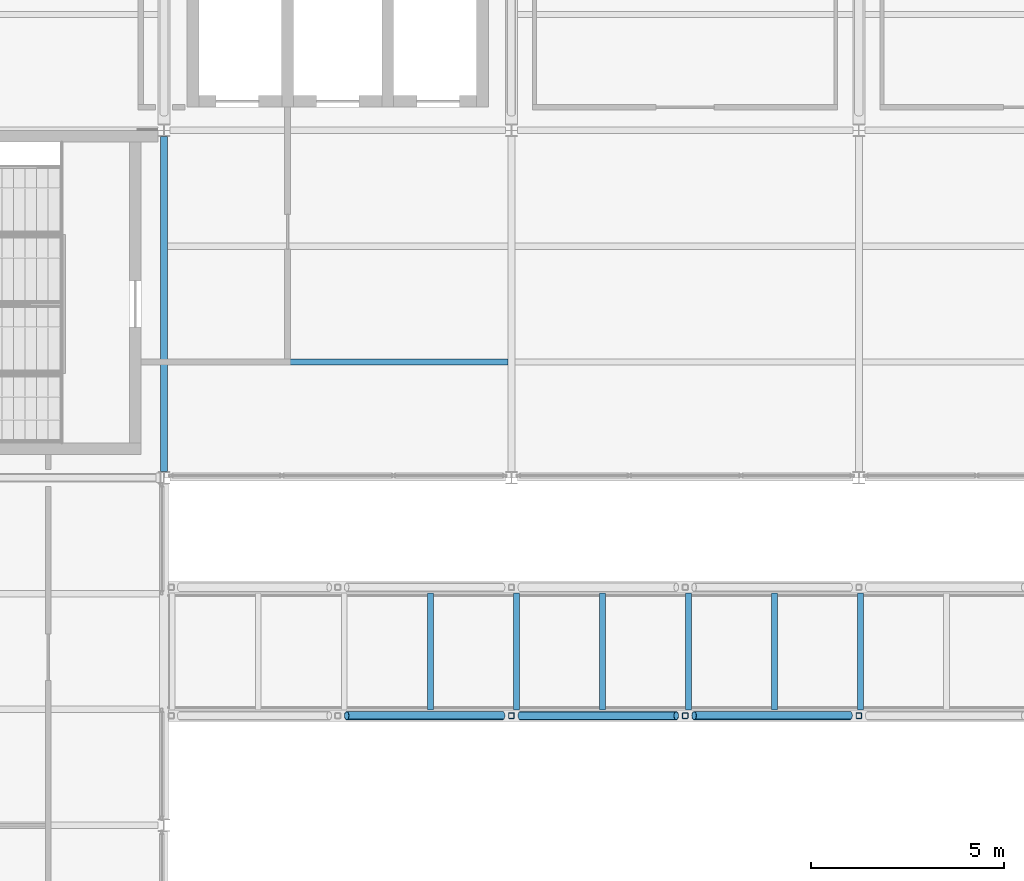
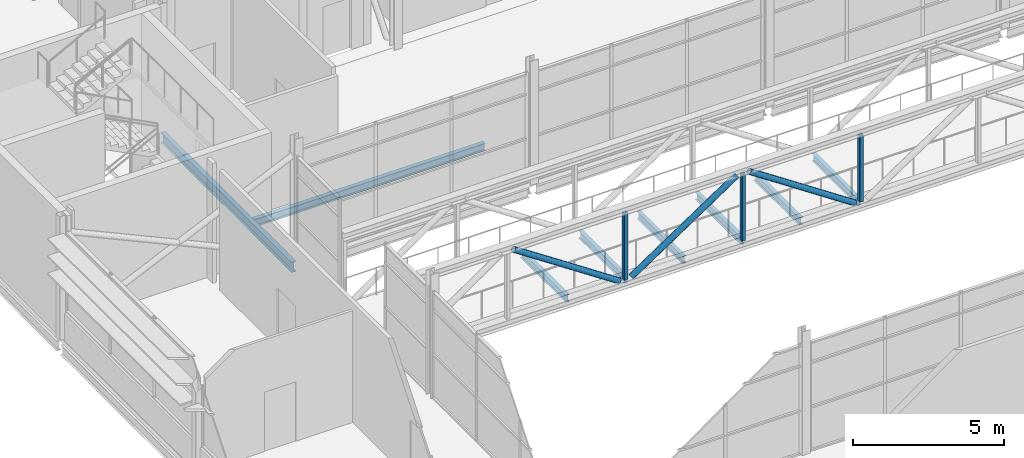
# One storey, part 25 of 94: 8 beams, 6 members.
"""IFC4 building model written with IfcOpenShell, lengths in metres."""

import ifcopenshell
import ifcopenshell.guid

model = None  # the IFC model being written
_history = None  # IfcOwnerHistory: only IFC2X3 demands one
_inside = {}  # id of a spatial element -> (the spatial element, [elements in it])
_under = {}  # id of a project, library or spatial element -> (it, [spatial elements below it])
_declared = {}  # id of a project -> (the project, [libraries it declares])
_typed = {}  # id of a type object -> (the type object, [elements of that type])
_made_of = {}  # id of a material, layer set ... -> (it, [elements and type objects made of it])


def new_model(schema):
    """Start an empty IFC model of exactly this schema.

    Asked for "IFC4X3", IfcOpenShell would pick the latest addendum, in which some entities
    have other attributes; the version numbers below select the first issue.
    IFC2X3 requires an IfcOwnerHistory on every rooted entity: one is made here for all.
    """
    global model, _history
    if schema == "IFC4X3":
        model = ifcopenshell.file(schema_version=(4, 3, 0, 0))
    else:
        model = ifcopenshell.file(schema=schema)
    _inside.clear()
    _under.clear()
    _declared.clear()
    _typed.clear()
    _made_of.clear()
    _history = None
    if model.schema == "IFC2X3":
        org = make("IfcOrganization", Name="unknown")
        user = make(
            "IfcPersonAndOrganization",
            ThePerson=make("IfcPerson", FamilyName="unknown"),
            TheOrganization=org,
        )
        app = make(
            "IfcApplication",
            ApplicationDeveloper=org,
            Version="unknown",
            ApplicationFullName="unknown",
            ApplicationIdentifier="unknown",
        )
        _history = make(
            "IfcOwnerHistory",
            OwningUser=user,
            OwningApplication=app,
            ChangeAction="ADDED",
            CreationDate=0,
        )
    return model


def make(cls, **values):
    """One entity of the class cls with the attributes given. An attribute that is None is left unset."""
    return model.create_entity(
        cls, **{name: value for name, value in values.items() if value is not None}
    )


def rooted(cls, **values):
    """An entity with a GlobalId (a new one), such as an element, a storey or a relation."""
    return make(cls, GlobalId=ifcopenshell.guid.new(), OwnerHistory=_history, **values)


def si_unit(unit_type, name, prefix=None):
    """IfcSIUnit, for example si_unit("LENGTHUNIT", "METRE", prefix="MILLI")."""
    return make("IfcSIUnit", UnitType=unit_type, Prefix=prefix, Name=name)


def assignment(units):
    """IfcUnitAssignment: the units of a project."""
    return None if units is None else make("IfcUnitAssignment", Units=units)


def point(xyz):
    """IfcCartesianPoint."""
    return None if xyz is None else make("IfcCartesianPoint", Coordinates=xyz)


def direction(xyz):
    """IfcDirection."""
    return None if xyz is None else make("IfcDirection", DirectionRatios=xyz)


def frame(location, z_axis=None, x_axis=None):
    """IfcAxis2Placement3D, a coordinate frame: its origin and axes. An axis left out is left unset."""
    return make(
        "IfcAxis2Placement3D",
        Location=point(location),
        Axis=direction(z_axis),
        RefDirection=direction(x_axis),
    )


def frame_2d(location, x_axis=None):
    """IfcAxis2Placement2D, a coordinate frame in the plane: its origin and x axis."""
    return make(
        "IfcAxis2Placement2D", Location=point(location), RefDirection=direction(x_axis)
    )


def origin():
    """The frame at (0, 0, 0) with its axes left unset."""
    return frame((0.0, 0.0, 0.0))


def origin_2d():
    """The frame at (0, 0) in the plane with its x axis left unset."""
    return frame_2d((0.0, 0.0))


def place(relative_to, where):
    """IfcLocalPlacement: puts the frame where relative to a parent placement (None: the world)."""
    return make(
        "IfcLocalPlacement", PlacementRelTo=relative_to, RelativePlacement=where
    )


def context(
    kind, dimensions, precision=None, world=None, true_north=None, identifier=None
):
    """IfcGeometricRepresentationContext, for example the 3D "Model" context."""
    return make(
        "IfcGeometricRepresentationContext",
        ContextIdentifier=identifier,
        ContextType=kind,
        CoordinateSpaceDimension=dimensions,
        Precision=precision,
        WorldCoordinateSystem=world,
        TrueNorth=true_north,
    )


def subcontext(parent, identifier, kind, view, scale=None):
    """IfcGeometricRepresentationSubContext, for example "Body" below "Model"."""
    return make(
        "IfcGeometricRepresentationSubContext",
        ContextIdentifier=identifier,
        ContextType=kind,
        ParentContext=parent,
        TargetScale=scale,
        TargetView=view,
    )


def project(units=None, contexts=None):
    """IfcProject with its units and contexts."""
    return rooted(
        "IfcProject",
        Name="project",
        RepresentationContexts=contexts,
        UnitsInContext=assignment(units),
    )


def spatial(cls, under=None, at=None, **own):
    """A site, building, storey or space (cls), placed at a placement, below another one or the project."""
    s = rooted(cls, ObjectPlacement=at, **own)
    if under is not None:
        _under.setdefault(under.id(), (under, []))[1].append(s)
    return s


def profile(cls, at=None, kind="AREA", **sizes):
    """A parametric profile (cls). Its sizes go by their IFC names, for example OverallWidth=200.0."""
    return make(cls, ProfileType=kind, Position=at, **sizes)


def hollow_rectangle(**sizes):
    """IfcRectangleHollowProfileDef."""
    return profile("IfcRectangleHollowProfileDef", **sizes)


def hollow_circle(**sizes):
    """IfcCircleHollowProfileDef."""
    return profile("IfcCircleHollowProfileDef", **sizes)


def i_section(**sizes):
    """IfcIShapeProfileDef."""
    return profile("IfcIShapeProfileDef", **sizes)


def extrude(swept, where, along, depth):
    """IfcExtrudedAreaSolid: the profile swept, set in the frame where, extruded along a direction by depth."""
    return make(
        "IfcExtrudedAreaSolid",
        SweptArea=swept,
        Position=where,
        ExtrudedDirection=direction(along),
        Depth=depth,
    )


def shape(context_of_items, identifier, shape_type, items):
    """IfcShapeRepresentation: the items that make up one representation, for example the "Body"."""
    return make(
        "IfcShapeRepresentation",
        ContextOfItems=context_of_items,
        RepresentationIdentifier=identifier,
        RepresentationType=shape_type,
        Items=items,
    )


def material(Name=None, Category=None):
    """IfcMaterial."""
    return make("IfcMaterial", Name=Name, Category=Category)


def material_profile(
    of_material, cross_section, Name=None, Category=None, Priority=None
):
    """IfcMaterialProfile: a cross section and its material."""
    return make(
        "IfcMaterialProfile",
        Name=Name,
        Material=of_material,
        Profile=cross_section,
        Priority=Priority,
        Category=Category,
    )


def profile_set(profiles, Name=None, composite=None):
    """IfcMaterialProfileSet."""
    return make(
        "IfcMaterialProfileSet",
        Name=Name,
        MaterialProfiles=profiles,
        CompositeProfile=composite,
    )


def made_of(thing, what):
    """Note that an element or type object is made of a material, layer set ...; save() writes the relation."""
    if what is not None:
        _made_of.setdefault(what.id(), (what, []))[1].append(thing)
    return thing


def type_object(cls, material=None, **own):
    """A type object (cls), such as IfcWallType, which elements share."""
    return made_of(rooted(cls, **own), material)


def element(
    cls,
    number,
    at=None,
    inside=None,
    cuts=None,
    type_object=None,
    material=None,
    context=None,
    identifier="Body",
    shape_type=None,
    held_by="IfcProductDefinitionShape",
    body=None,
    shapes=None,
    **own,
):
    """One element of the class cls, such as IfcWall. Its Tag is "e" and its number.

    at: its placement. inside: the storey or other place that contains it. cuts: it is an
    opening in that element (IfcRelVoidsElement). A single representation is given by context,
    identifier, shape_type and body (its items); several are given by shapes. held_by: the class
    of the entity that holds the representations. save() writes the other relations.
    """
    e = rooted(cls, Tag="e%d" % number, ObjectPlacement=at, **own)
    if body is not None:
        shapes = [shape(context, identifier, shape_type, body)]
    if shapes is not None:
        e.Representation = make(held_by, Representations=shapes)
    if inside is not None:
        _inside.setdefault(inside.id(), (inside, []))[1].append(e)
    if cuts is not None:
        rooted(
            "IfcRelVoidsElement", RelatingBuildingElement=cuts, RelatedOpeningElement=e
        )
    if type_object is not None:
        _typed.setdefault(type_object.id(), (type_object, []))[1].append(e)
    return made_of(e, material)


def aggregate(whole, parts):
    """IfcRelAggregates: a whole, such as a stair, and the parts it consists of."""
    return rooted("IfcRelAggregates", RelatingObject=whole, RelatedObjects=parts)


def save(model, path):
    """Write the relations noted so far, then the file.

    IfcRelAggregates (storeys below a building ...), IfcRelContainedInSpatialStructure (elements
    in a storey), IfcRelDefinesByType, IfcRelAssociatesMaterial and IfcRelDeclares: one each for
    every whole, place, type object, material and project.
    """
    for whole, parts in _under.values():
        aggregate(whole, parts)
    for where, things in _inside.values():
        rooted(
            "IfcRelContainedInSpatialStructure",
            RelatedElements=things,
            RelatingStructure=where,
        )
    for kind, things in _typed.values():
        rooted("IfcRelDefinesByType", RelatedObjects=things, RelatingType=kind)
    for what, things in _made_of.values():
        rooted("IfcRelAssociatesMaterial", RelatedObjects=things, RelatingMaterial=what)
    for by, libraries in _declared.values():
        rooted("IfcRelDeclares", RelatingContext=by, RelatedDefinitions=libraries)
    model.write(path)


model = new_model("IFC4")

# Units and contexts
model_context = context("Model", 3, precision=1e-05, world=origin(), true_north=direction((0.0, 1.0)))
body_context = subcontext(model_context, "Body", "Model", "MODEL_VIEW")
ifc_project = project(units=[si_unit("LENGTHUNIT", "METRE"), si_unit("AREAUNIT", "SQUARE_METRE"), si_unit("VOLUMEUNIT", "CUBIC_METRE"), si_unit("PLANEANGLEUNIT", "RADIAN"), si_unit("MASSUNIT", "GRAM", prefix="KILO")], contexts=[model_context])

# Site, building, storey
site_placement = place(None, origin())
site = spatial("IfcSite", under=ifc_project, at=site_placement, CompositionType="ELEMENT")
building_placement = place(site_placement, origin())
building = spatial("IfcBuilding", under=site, at=building_placement, Name="Shorebreak Coast Museum", CompositionType="ELEMENT")
storey_placement = place(building_placement, frame((0.0, 0.0, 31.0)))
storey = spatial("IfcBuildingStorey", under=building, at=storey_placement, Name="L05", CompositionType="ELEMENT", Elevation=31.0)

# Beams
ifc_material_1 = material(Name="Steel Grade 300", Category="steel")
ifc_material_profile_1 = material_profile(ifc_material_1, i_section(OverallWidth=0.14892578125, OverallDepth=0.298095703125, WebThickness=0.005615234375, FlangeThickness=0.008056640625, FilletRadius=0.012939453125, at=origin_2d()), Name="310UB32.0")
ifc_profile_set_1 = profile_set([ifc_material_profile_1], Name="Steel Grade 300")
beam_type_1 = type_object("IfcBeamType", Name="Atrium bridge cross beam 310UB32.0", PredefinedType="BEAM", material=ifc_profile_set_1)
for number, where, z_axis, x_axis, name in (
    (1, (69.900146484375, 74.989990234375, -0.323974609375), (0.0, 1.0, 0.0), (-1.0, 0.0, 0.0), "Atrium bridge cross beam BR3 04"),
    (2, (72.128662109375, 74.989990234375, -0.323974609375), (0.0, 1.0, 0.0), (-1.0, 0.0, 0.0), "Atrium bridge cross beam BR3 05"),
    (3, (74.357177734375, 74.989990234375, -0.323974609375), (0.0, 1.0, 0.0), (-1.0, 0.0, 0.0), "Atrium bridge cross beam BR3 06"),
    (4, (76.585693359375, 74.989990234375, -0.323974609375), (0.0, 1.0, 0.0), (-1.0, 0.0, 0.0), "Atrium bridge cross beam BR3 07"),
    (5, (78.814453125, 74.989990234375, -0.323974609375), (0.0, 1.0, 0.0), (-1.0, 0.0, 0.0), "Atrium bridge cross beam BR3 08"),
    (6, (81.04296875, 74.989990234375, -0.323974609375), (0.0, 1.0, 0.0), (-1.0, 0.0, 0.0), "Atrium bridge cross beam BR3 09"),
):
    element("IfcBeam", number, at=place(storey_placement, frame(where, z_axis=z_axis, x_axis=x_axis)), inside=storey, type_object=beam_type_1, Name=name, PredefinedType="BEAM", context=body_context, shape_type="SweptSolid", body=[
        extrude(i_section(OverallWidth=0.14892578125, OverallDepth=0.298095703125, WebThickness=0.005615234375, FlangeThickness=0.008056640625, FilletRadius=0.012939453125, at=origin_2d()), origin(), (0.0, 0.0, 1.0), 3.02001953125),
    ])

# Members
ifc_material_2 = material(Name="Steel Grade C350L0", Category="steel")
ifc_material_profile_2 = material_profile(ifc_material_2, hollow_circle(Radius=0.109619140625, WallThickness=0.00830078125, at=origin_2d()), Name="219.1x8.2 CHS")
ifc_profile_set_2 = profile_set([ifc_material_profile_2], Name="Steel Grade C350L0")
member_type_1 = type_object("IfcMemberType", Name="Atrium bridge truss diagonal 219.1x8.2 CHS", PredefinedType="BRACE", material=ifc_profile_set_2)
for number, where, z_axis, x_axis, name in (
    (7, (71.76904296875, 74.83740234375, -0.175048828125), (-0.832042555046, 0.0, 0.554711804987), (0.0, -1.0, 0.0), "Atrium bridge truss BR3 side A diagonal D02"),
    (8, (72.23095703125, 74.83740234375, -0.175048828125), (0.832042555046, 0.0, 0.554711804987), (0.0, 1.0, 0.0), "Atrium bridge truss BR3 side A diagonal D03"),
    (9, (80.76904296875, 74.83740234375, -0.175048828125), (-0.832042555046, 0.0, 0.554711804987), (0.0, -1.0, 0.0), "Atrium bridge truss BR3 side A diagonal D04"),
):
    element("IfcMember", number, at=place(storey_placement, frame(where, z_axis=z_axis, x_axis=x_axis)), inside=storey, type_object=member_type_1, Name=name, PredefinedType="BRACE", context=body_context, shape_type="SweptSolid", body=[
        extrude(hollow_circle(Radius=0.109619140625, WallThickness=0.00830078125, at=origin_2d()), origin(), (0.0, 0.0, 1.0), 4.853271484375),
    ])
ifc_material_3 = material(Name="Steel Grade C450L0", Category="steel")
ifc_material_profile_3 = material_profile(ifc_material_3, hollow_rectangle(XDim=0.14990234375, YDim=0.14990234375, WallThickness=0.009033203125, InnerFilletRadius=0.013427734375, OuterFilletRadius=0.0224609375, at=origin_2d()), Name="150x150x9.0 SHS")
ifc_profile_set_3 = profile_set([ifc_material_profile_3], Name="Steel Grade C450L0")
member_type_2 = type_object("IfcMemberType", Name="Atrium bridge truss strut 150x150x9.0 SHS", PredefinedType="STRUT", material=ifc_profile_set_3)
for number, where, z_axis, x_axis, name in (
    (10, (72.0, 74.83740234375, -0.175048828125), (0.0, 0.0, 1.0), (1.0, 0.0, 0.0), "Atrium bridge truss BR3 side A strut V03"),
    (11, (76.5, 74.83740234375, -0.175048828125), (0.0, 0.0, 1.0), (1.0, 0.0, 0.0), "Atrium bridge truss BR3 side A strut V04"),
    (12, (81.0, 74.83740234375, -0.175048828125), (0.0, 0.0, 1.0), (1.0, 0.0, 0.0), "Atrium bridge truss BR3 side A strut V05"),
):
    element("IfcMember", number, at=place(storey_placement, frame(where, z_axis=z_axis, x_axis=x_axis)), inside=storey, type_object=member_type_2, Name=name, PredefinedType="STRUT", context=body_context, shape_type="SweptSolid", body=[
        extrude(hollow_rectangle(XDim=0.14990234375, YDim=0.14990234375, WallThickness=0.009033203125, InnerFilletRadius=0.013427734375, OuterFilletRadius=0.0224609375, at=origin_2d()), origin(), (0.0, 0.0, 1.0), 2.692138671875),
    ])

# Beams
ifc_material_4 = material(Name="Steel Grade 300", Category="steel")
ifc_material_profile_4 = material_profile(ifc_material_4, i_section(OverallWidth=0.177978515625, OverallDepth=0.406494140625, WebThickness=0.0078125, FlangeThickness=0.0126953125, FilletRadius=0.011474609375, at=origin_2d()), Name="410UB59.7")
ifc_profile_set_4 = profile_set([ifc_material_profile_4], Name="Steel Grade 300")
beam_type_2 = type_object("IfcBeamType", Name="Floor girder north-south 410UB59.7", PredefinedType="BEAM", material=ifc_profile_set_4)
beam_1_placement = place(storey_placement, frame((63.0, 81.1572265625, -0.378173828125), z_axis=(0.0, 1.0, 0.0), x_axis=(-1.0, 0.0, 0.0)))
element("IfcBeam", 13, at=beam_1_placement, inside=storey, type_object=beam_type_2, Name="Floor girder north-south L05 8K", PredefinedType="BEAM", context=body_context, shape_type="SweptSolid", body=[
    extrude(i_section(OverallWidth=0.177978515625, OverallDepth=0.406494140625, WebThickness=0.0078125, FlangeThickness=0.0126953125, FilletRadius=0.011474609375, at=origin_2d()), origin(), (0.0, 0.0, 1.0), 8.67919921875),
])
ifc_material_5 = material(Name="Steel Grade 300", Category="steel")
ifc_material_profile_5 = material_profile(ifc_material_5, i_section(OverallWidth=0.1650390625, OverallDepth=0.303955078125, WebThickness=0.006103515625, FlangeThickness=0.01025390625, FilletRadius=0.011474609375, at=origin_2d()), Name="310UB40.4")
ifc_profile_set_5 = profile_set([ifc_material_profile_5], Name="Steel Grade 300")
beam_type_3 = type_object("IfcBeamType", Name="Floor joist 310UB40.4", PredefinedType="JOIST", material=ifc_profile_set_5)
beam_2_placement = place(storey_placement, frame((63.089111328125, 84.0, -0.326904296875), z_axis=(1.0, 0.0, 0.0), x_axis=(0.0, 1.0, 0.0)))
element("IfcBeam", 14, at=beam_2_placement, inside=storey, type_object=beam_type_3, Name="Floor joist L05 bay 8K at 3000 mm", PredefinedType="JOIST", context=body_context, shape_type="SweptSolid", body=[
    extrude(i_section(OverallWidth=0.1650390625, OverallDepth=0.303955078125, WebThickness=0.006103515625, FlangeThickness=0.01025390625, FilletRadius=0.011474609375, at=origin_2d()), origin(), (0.0, 0.0, 1.0), 8.82177734375),
])

save(model, "model.ifc")
